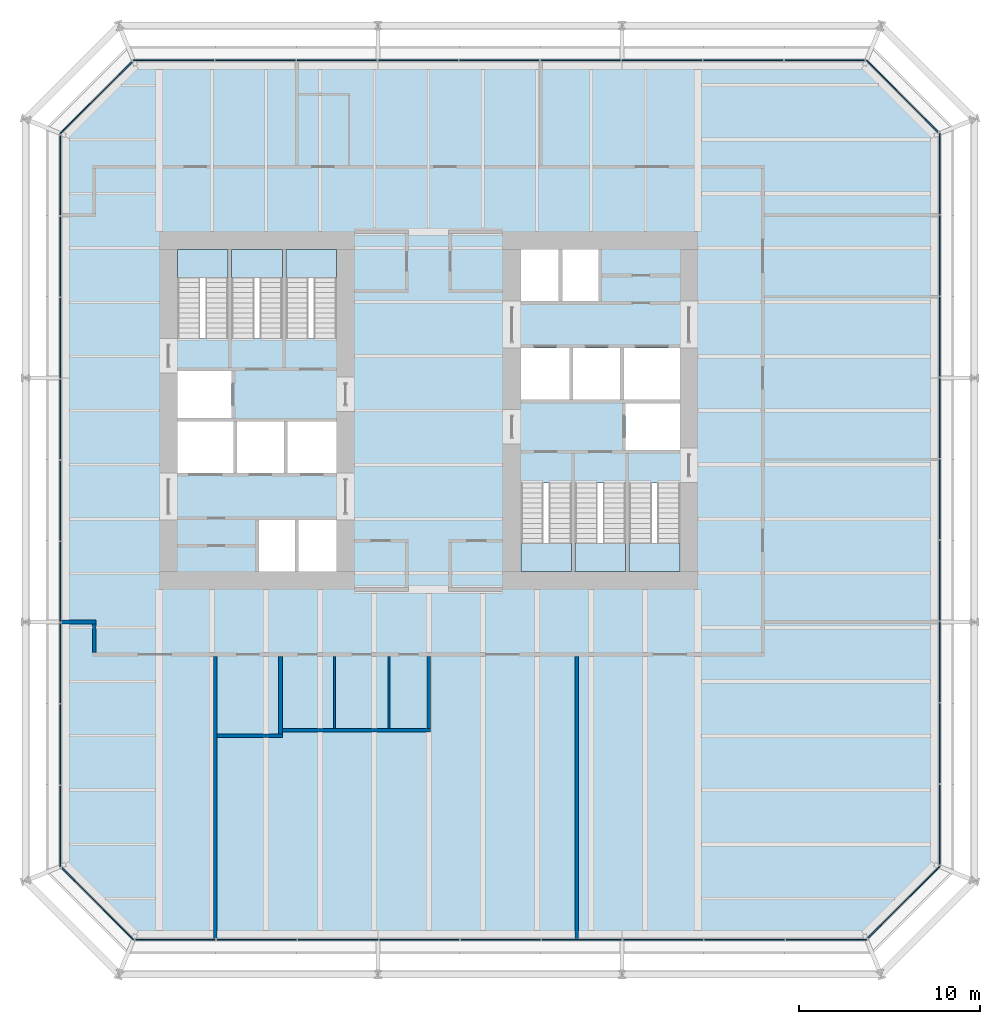
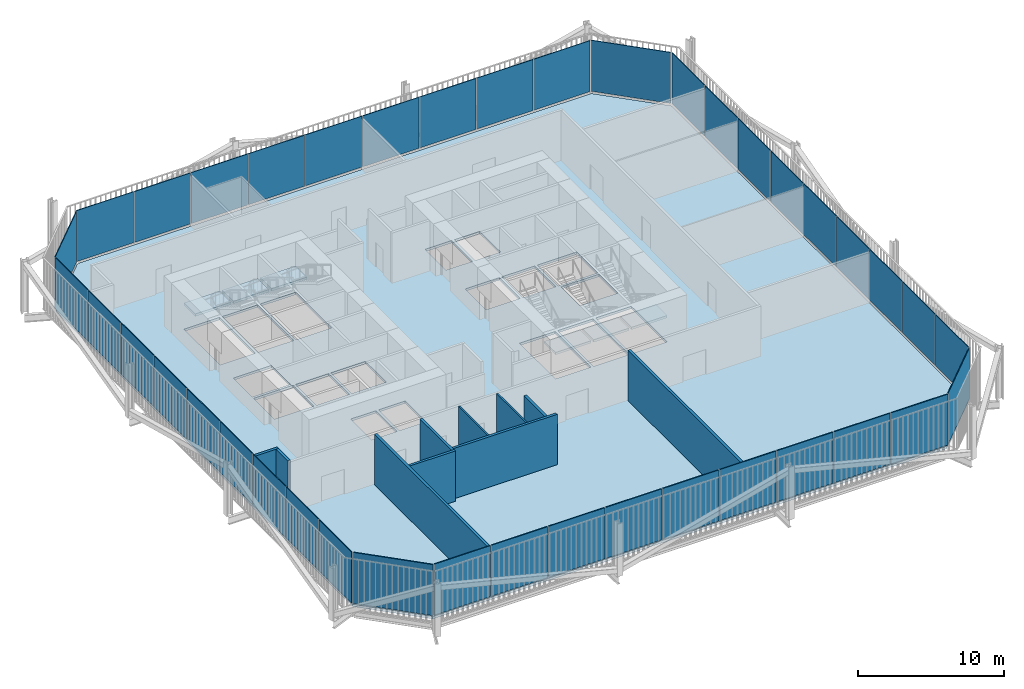
# One storey, part 16 of 21: 40 plates, 10 walls, 7 slabs, 14 elements without a shape of their own.
"""IFC4 building model written with IfcOpenShell, lengths in metres."""

from ifc_helpers import new_model, si_unit, direction, frame, frame_2d, origin, place, context, subcontext, project, spatial, polyline, rectangle, outline, extrude, material, layer, layer_set, type_object, element, aggregate, save


model = new_model("IFC4")

# Units and contexts
model_context = context("Model", 3, precision=1e-05, world=origin(), true_north=direction((0.0, 1.0)))
body_context = subcontext(model_context, "Body", "Model", "MODEL_VIEW")
ifc_project = project(units=[si_unit("LENGTHUNIT", "METRE"), si_unit("AREAUNIT", "SQUARE_METRE"), si_unit("VOLUMEUNIT", "CUBIC_METRE"), si_unit("PLANEANGLEUNIT", "RADIAN"), si_unit("MASSUNIT", "GRAM", prefix="KILO")], contexts=[model_context])

# Site, building, storey
site_placement = place(None, origin())
site = spatial("IfcSite", under=ifc_project, at=site_placement, CompositionType="ELEMENT")
building_placement = place(site_placement, origin())
building = spatial("IfcBuilding", under=site, at=building_placement, Name="Millrace Tower", CompositionType="ELEMENT")
storey_placement = place(building_placement, frame((0.0, 0.0, 90.800048828125)))
storey = spatial("IfcBuildingStorey", under=building, at=storey_placement, Name="L20", CompositionType="ELEMENT", Elevation=90.800048828125)

# Curtain wall, plate
ifc_material_1 = material(Name="Aluminium and glass", Category="aluminium")
ifc_layer_1 = layer(ifc_material_1, 0.14990234375)
ifc_layer_set_1 = layer_set([ifc_layer_1], Name="Aluminium and glass")
curtain_wall_type = type_object("IfcCurtainWallType", Name="CW-3 telecom floor curtain wall", PredefinedType="NOTDEFINED", material=ifc_layer_set_1)
placement_1 = place(storey_placement, origin())
curtain_wall_1 = element("IfcCurtainWall", 1, at=placement_1, inside=storey, type_object=curtain_wall_type, Name="Curtain wall B-F01 L20", PredefinedType="NOTDEFINED")
ifc_material_2 = material(Name="Glass", Category="glass")
ifc_layer_2 = layer(ifc_material_2, 0.06005859375)
ifc_layer_set_2 = layer_set([ifc_layer_2], Name="Glass")
plate_type = type_object("IfcPlateType", Name="CW-3 telecom floor curtain wall triple-glazed panel with spandrel", PredefinedType="CURTAIN_PANEL", material=ifc_layer_set_2)
placement_2 = place(storey_placement, frame((0.0, 0.0, 0.14990234375)))
plate_1 = element("IfcPlate", 2, at=placement_2, type_object=plate_type, Name="CW3 panel B-F01.1", PredefinedType="CURTAIN_PANEL", context=body_context, shape_type="SweptSolid", body=[
    extrude(outline(polyline([(-20.328369140625, -25.3203125), (-16.343505859375, -29.304931640625), (-16.318603515625, -29.2451171875), (-20.285888671875, -25.27783203125), (-20.328369140625, -25.3203125)])), origin(), (0.0, 0.0, 1.0), 4.25),
])
aggregate(curtain_wall_1, [plate_1])

# Curtain wall, plates
curtain_wall_2 = element("IfcCurtainWall", 3, at=placement_1, inside=storey, type_object=curtain_wall_type, Name="Curtain wall B-F02 L20", PredefinedType="NOTDEFINED")
plate_2 = element("IfcPlate", 4, at=placement_2, type_object=plate_type, Name="CW3 panel B-F02.1", PredefinedType="CURTAIN_PANEL", context=body_context, shape_type="SweptSolid", body=[
    extrude(outline(polyline([(-16.235107421875, -29.304931640625), (-11.800048828125, -29.304931640625), (-11.800048828125, -29.2451171875), (-16.235107421875, -29.2451171875), (-16.235107421875, -29.304931640625)])), origin(), (0.0, 0.0, 1.0), 4.25),
])
plate_3 = element("IfcPlate", 5, at=placement_2, type_object=plate_type, Name="CW3 panel B-F02.2", PredefinedType="CURTAIN_PANEL", context=body_context, shape_type="SweptSolid", body=[
    extrude(outline(polyline([(-11.735107421875, -29.304931640625), (-7.300048828125, -29.304931640625), (-7.300048828125, -29.2451171875), (-11.735107421875, -29.2451171875), (-11.735107421875, -29.304931640625)])), origin(), (0.0, 0.0, 1.0), 4.25),
])
plate_4 = element("IfcPlate", 6, at=placement_2, type_object=plate_type, Name="CW3 panel B-F02.3", PredefinedType="CURTAIN_PANEL", context=body_context, shape_type="SweptSolid", body=[
    extrude(outline(polyline([(-7.235107421875, -29.304931640625), (-2.800048828125, -29.304931640625), (-2.800048828125, -29.2451171875), (-7.235107421875, -29.2451171875), (-7.235107421875, -29.304931640625)])), origin(), (0.0, 0.0, 1.0), 4.25),
])
plate_5 = element("IfcPlate", 7, at=placement_2, type_object=plate_type, Name="CW3 panel B-F02.4", PredefinedType="CURTAIN_PANEL", context=body_context, shape_type="SweptSolid", body=[
    extrude(outline(polyline([(-2.735107421875, -29.304931640625), (1.699951171875, -29.304931640625), (1.699951171875, -29.2451171875), (-2.735107421875, -29.2451171875), (-2.735107421875, -29.304931640625)])), origin(), (0.0, 0.0, 1.0), 4.25),
])
plate_6 = element("IfcPlate", 8, at=placement_2, type_object=plate_type, Name="CW3 panel B-F02.5", PredefinedType="CURTAIN_PANEL", context=body_context, shape_type="SweptSolid", body=[
    extrude(outline(polyline([(1.764892578125, -29.304931640625), (6.199951171875, -29.304931640625), (6.199951171875, -29.2451171875), (1.764892578125, -29.2451171875), (1.764892578125, -29.304931640625)])), origin(), (0.0, 0.0, 1.0), 4.25),
])
plate_7 = element("IfcPlate", 9, at=placement_2, type_object=plate_type, Name="CW3 panel B-F02.6", PredefinedType="CURTAIN_PANEL", context=body_context, shape_type="SweptSolid", body=[
    extrude(outline(polyline([(6.264892578125, -29.304931640625), (10.699951171875, -29.304931640625), (10.699951171875, -29.2451171875), (6.264892578125, -29.2451171875), (6.264892578125, -29.304931640625)])), origin(), (0.0, 0.0, 1.0), 4.25),
])
plate_8 = element("IfcPlate", 10, at=placement_2, type_object=plate_type, Name="CW3 panel B-F02.7", PredefinedType="CURTAIN_PANEL", context=body_context, shape_type="SweptSolid", body=[
    extrude(outline(polyline([(10.764892578125, -29.304931640625), (15.199951171875, -29.304931640625), (15.199951171875, -29.2451171875), (10.764892578125, -29.2451171875), (10.764892578125, -29.304931640625)])), origin(), (0.0, 0.0, 1.0), 4.25),
])
plate_9 = element("IfcPlate", 11, at=placement_2, type_object=plate_type, Name="CW3 panel B-F02.8", PredefinedType="CURTAIN_PANEL", context=body_context, shape_type="SweptSolid", body=[
    extrude(outline(polyline([(15.264892578125, -29.304931640625), (19.699951171875, -29.304931640625), (19.699951171875, -29.2451171875), (15.264892578125, -29.2451171875), (15.264892578125, -29.304931640625)])), origin(), (0.0, 0.0, 1.0), 4.25),
])
plate_10 = element("IfcPlate", 12, at=placement_2, type_object=plate_type, Name="CW3 panel B-F02.9", PredefinedType="CURTAIN_PANEL", context=body_context, shape_type="SweptSolid", body=[
    extrude(outline(polyline([(19.764892578125, -29.304931640625), (24.243408203125, -29.304931640625), (24.21875, -29.2451171875), (19.764892578125, -29.2451171875), (19.764892578125, -29.304931640625)])), origin(), (0.0, 0.0, 1.0), 4.25),
])
aggregate(curtain_wall_2, [plate_2, plate_3, plate_4, plate_5, plate_6, plate_7, plate_8, plate_9, plate_10])

# Curtain wall, plate
curtain_wall_3 = element("IfcCurtainWall", 13, at=placement_1, inside=storey, type_object=curtain_wall_type, Name="Curtain wall B-F03 L20", PredefinedType="NOTDEFINED")
plate_11 = element("IfcPlate", 14, at=placement_2, type_object=plate_type, Name="CW3 panel B-F03.1", PredefinedType="CURTAIN_PANEL", context=body_context, shape_type="SweptSolid", body=[
    extrude(outline(polyline([(24.3203125, -29.228271484375), (28.304931640625, -25.243408203125), (28.2451171875, -25.21875), (24.27783203125, -29.185791015625), (24.3203125, -29.228271484375)])), origin(), (0.0, 0.0, 1.0), 4.25),
])
aggregate(curtain_wall_3, [plate_11])

# Curtain wall, plates
curtain_wall_4 = element("IfcCurtainWall", 15, at=placement_1, inside=storey, type_object=curtain_wall_type, Name="Curtain wall B-F04 L20", PredefinedType="NOTDEFINED")
plate_12 = element("IfcPlate", 16, at=placement_2, type_object=plate_type, Name="CW3 panel B-F04.1", PredefinedType="CURTAIN_PANEL", context=body_context, shape_type="SweptSolid", body=[
    extrude(outline(polyline([(28.304931640625, -25.135009765625), (28.304931640625, -20.699951171875), (28.2451171875, -20.699951171875), (28.2451171875, -25.135009765625), (28.304931640625, -25.135009765625)])), origin(), (0.0, 0.0, 1.0), 4.25),
])
plate_13 = element("IfcPlate", 17, at=placement_2, type_object=plate_type, Name="CW3 panel B-F04.2", PredefinedType="CURTAIN_PANEL", context=body_context, shape_type="SweptSolid", body=[
    extrude(outline(polyline([(28.304931640625, -20.635009765625), (28.304931640625, -16.199951171875), (28.2451171875, -16.199951171875), (28.2451171875, -20.635009765625), (28.304931640625, -20.635009765625)])), origin(), (0.0, 0.0, 1.0), 4.25),
])
plate_14 = element("IfcPlate", 18, at=placement_2, type_object=plate_type, Name="CW3 panel B-F04.3", PredefinedType="CURTAIN_PANEL", context=body_context, shape_type="SweptSolid", body=[
    extrude(outline(polyline([(28.304931640625, -16.135009765625), (28.304931640625, -11.699951171875), (28.2451171875, -11.699951171875), (28.2451171875, -16.135009765625), (28.304931640625, -16.135009765625)])), origin(), (0.0, 0.0, 1.0), 4.25),
])
plate_15 = element("IfcPlate", 19, at=placement_2, type_object=plate_type, Name="CW3 panel B-F04.4", PredefinedType="CURTAIN_PANEL", context=body_context, shape_type="SweptSolid", body=[
    extrude(outline(polyline([(28.304931640625, -11.635009765625), (28.304931640625, -7.199951171875), (28.2451171875, -7.199951171875), (28.2451171875, -11.635009765625), (28.304931640625, -11.635009765625)])), origin(), (0.0, 0.0, 1.0), 4.25),
])
plate_16 = element("IfcPlate", 20, at=placement_2, type_object=plate_type, Name="CW3 panel B-F04.5", PredefinedType="CURTAIN_PANEL", context=body_context, shape_type="SweptSolid", body=[
    extrude(outline(polyline([(28.304931640625, -7.135009765625), (28.304931640625, -2.699951171875), (28.2451171875, -2.699951171875), (28.2451171875, -7.135009765625), (28.304931640625, -7.135009765625)])), origin(), (0.0, 0.0, 1.0), 4.25),
])
plate_17 = element("IfcPlate", 21, at=placement_2, type_object=plate_type, Name="CW3 panel B-F04.6", PredefinedType="CURTAIN_PANEL", context=body_context, shape_type="SweptSolid", body=[
    extrude(outline(polyline([(28.304931640625, -2.635009765625), (28.304931640625, 1.800048828125), (28.2451171875, 1.800048828125), (28.2451171875, -2.635009765625), (28.304931640625, -2.635009765625)])), origin(), (0.0, 0.0, 1.0), 4.25),
])
plate_18 = element("IfcPlate", 22, at=placement_2, type_object=plate_type, Name="CW3 panel B-F04.7", PredefinedType="CURTAIN_PANEL", context=body_context, shape_type="SweptSolid", body=[
    extrude(outline(polyline([(28.304931640625, 1.864990234375), (28.304931640625, 6.300048828125), (28.2451171875, 6.300048828125), (28.2451171875, 1.864990234375), (28.304931640625, 1.864990234375)])), origin(), (0.0, 0.0, 1.0), 4.25),
])
plate_19 = element("IfcPlate", 23, at=placement_2, type_object=plate_type, Name="CW3 panel B-F04.8", PredefinedType="CURTAIN_PANEL", context=body_context, shape_type="SweptSolid", body=[
    extrude(outline(polyline([(28.304931640625, 6.364990234375), (28.304931640625, 10.800048828125), (28.2451171875, 10.800048828125), (28.2451171875, 6.364990234375), (28.304931640625, 6.364990234375)])), origin(), (0.0, 0.0, 1.0), 4.25),
])
plate_20 = element("IfcPlate", 24, at=placement_2, type_object=plate_type, Name="CW3 panel B-F04.9", PredefinedType="CURTAIN_PANEL", context=body_context, shape_type="SweptSolid", body=[
    extrude(outline(polyline([(28.304931640625, 10.864990234375), (28.304931640625, 15.343505859375), (28.2451171875, 15.318603515625), (28.2451171875, 10.864990234375), (28.304931640625, 10.864990234375)])), origin(), (0.0, 0.0, 1.0), 4.25),
])
aggregate(curtain_wall_4, [plate_12, plate_13, plate_14, plate_15, plate_16, plate_17, plate_18, plate_19, plate_20])

# Curtain wall, plate
curtain_wall_5 = element("IfcCurtainWall", 25, at=placement_1, inside=storey, type_object=curtain_wall_type, Name="Curtain wall B-F05 L20", PredefinedType="NOTDEFINED")
plate_21 = element("IfcPlate", 26, at=placement_2, type_object=plate_type, Name="CW3 panel B-F05.1", PredefinedType="CURTAIN_PANEL", context=body_context, shape_type="SweptSolid", body=[
    extrude(outline(polyline([(28.228271484375, 15.420166015625), (24.243408203125, 19.405029296875), (24.21875, 19.344970703125), (28.185791015625, 15.377685546875), (28.228271484375, 15.420166015625)])), origin(), (0.0, 0.0, 1.0), 4.25),
])
aggregate(curtain_wall_5, [plate_21])

# Curtain wall, plates
curtain_wall_6 = element("IfcCurtainWall", 27, at=placement_1, inside=storey, type_object=curtain_wall_type, Name="Curtain wall B-F06 L20", PredefinedType="NOTDEFINED")
plate_22 = element("IfcPlate", 28, at=placement_2, type_object=plate_type, Name="CW3 panel B-F06.1", PredefinedType="CURTAIN_PANEL", context=body_context, shape_type="SweptSolid", body=[
    extrude(outline(polyline([(24.135009765625, 19.405029296875), (19.699951171875, 19.405029296875), (19.699951171875, 19.344970703125), (24.135009765625, 19.344970703125), (24.135009765625, 19.405029296875)])), origin(), (0.0, 0.0, 1.0), 4.25),
])
plate_23 = element("IfcPlate", 29, at=placement_2, type_object=plate_type, Name="CW3 panel B-F06.2", PredefinedType="CURTAIN_PANEL", context=body_context, shape_type="SweptSolid", body=[
    extrude(outline(polyline([(19.635009765625, 19.405029296875), (15.199951171875, 19.405029296875), (15.199951171875, 19.344970703125), (19.635009765625, 19.344970703125), (19.635009765625, 19.405029296875)])), origin(), (0.0, 0.0, 1.0), 4.25),
])
plate_24 = element("IfcPlate", 30, at=placement_2, type_object=plate_type, Name="CW3 panel B-F06.3", PredefinedType="CURTAIN_PANEL", context=body_context, shape_type="SweptSolid", body=[
    extrude(outline(polyline([(15.135009765625, 19.405029296875), (10.699951171875, 19.405029296875), (10.699951171875, 19.344970703125), (15.135009765625, 19.344970703125), (15.135009765625, 19.405029296875)])), origin(), (0.0, 0.0, 1.0), 4.25),
])
plate_25 = element("IfcPlate", 31, at=placement_2, type_object=plate_type, Name="CW3 panel B-F06.4", PredefinedType="CURTAIN_PANEL", context=body_context, shape_type="SweptSolid", body=[
    extrude(outline(polyline([(10.635009765625, 19.405029296875), (6.199951171875, 19.405029296875), (6.199951171875, 19.344970703125), (10.635009765625, 19.344970703125), (10.635009765625, 19.405029296875)])), origin(), (0.0, 0.0, 1.0), 4.25),
])
plate_26 = element("IfcPlate", 32, at=placement_2, type_object=plate_type, Name="CW3 panel B-F06.5", PredefinedType="CURTAIN_PANEL", context=body_context, shape_type="SweptSolid", body=[
    extrude(outline(polyline([(6.135009765625, 19.405029296875), (1.699951171875, 19.405029296875), (1.699951171875, 19.344970703125), (6.135009765625, 19.344970703125), (6.135009765625, 19.405029296875)])), origin(), (0.0, 0.0, 1.0), 4.25),
])
plate_27 = element("IfcPlate", 33, at=placement_2, type_object=plate_type, Name="CW3 panel B-F06.6", PredefinedType="CURTAIN_PANEL", context=body_context, shape_type="SweptSolid", body=[
    extrude(outline(polyline([(1.635009765625, 19.405029296875), (-2.800048828125, 19.405029296875), (-2.800048828125, 19.344970703125), (1.635009765625, 19.344970703125), (1.635009765625, 19.405029296875)])), origin(), (0.0, 0.0, 1.0), 4.25),
])
plate_28 = element("IfcPlate", 34, at=placement_2, type_object=plate_type, Name="CW3 panel B-F06.7", PredefinedType="CURTAIN_PANEL", context=body_context, shape_type="SweptSolid", body=[
    extrude(outline(polyline([(-2.864990234375, 19.405029296875), (-7.300048828125, 19.405029296875), (-7.300048828125, 19.344970703125), (-2.864990234375, 19.344970703125), (-2.864990234375, 19.405029296875)])), origin(), (0.0, 0.0, 1.0), 4.25),
])
plate_29 = element("IfcPlate", 35, at=placement_2, type_object=plate_type, Name="CW3 panel B-F06.8", PredefinedType="CURTAIN_PANEL", context=body_context, shape_type="SweptSolid", body=[
    extrude(outline(polyline([(-7.364990234375, 19.405029296875), (-11.800048828125, 19.405029296875), (-11.800048828125, 19.344970703125), (-7.364990234375, 19.344970703125), (-7.364990234375, 19.405029296875)])), origin(), (0.0, 0.0, 1.0), 4.25),
])
plate_30 = element("IfcPlate", 36, at=placement_2, type_object=plate_type, Name="CW3 panel B-F06.9", PredefinedType="CURTAIN_PANEL", context=body_context, shape_type="SweptSolid", body=[
    extrude(outline(polyline([(-11.864990234375, 19.405029296875), (-16.343505859375, 19.405029296875), (-16.318603515625, 19.344970703125), (-11.864990234375, 19.344970703125), (-11.864990234375, 19.405029296875)])), origin(), (0.0, 0.0, 1.0), 4.25),
])
aggregate(curtain_wall_6, [plate_22, plate_23, plate_24, plate_25, plate_26, plate_27, plate_28, plate_29, plate_30])

# Curtain wall, plate
curtain_wall_7 = element("IfcCurtainWall", 37, at=placement_1, inside=storey, type_object=curtain_wall_type, Name="Curtain wall B-F07 L20", PredefinedType="NOTDEFINED")
plate_31 = element("IfcPlate", 38, at=placement_2, type_object=plate_type, Name="CW3 panel B-F07.1", PredefinedType="CURTAIN_PANEL", context=body_context, shape_type="SweptSolid", body=[
    extrude(outline(polyline([(-16.420166015625, 19.328369140625), (-20.405029296875, 15.343505859375), (-20.344970703125, 15.318603515625), (-16.377685546875, 19.285888671875), (-16.420166015625, 19.328369140625)])), origin(), (0.0, 0.0, 1.0), 4.25),
])
aggregate(curtain_wall_7, [plate_31])

# Curtain wall, plates
curtain_wall_8 = element("IfcCurtainWall", 39, at=placement_1, inside=storey, type_object=curtain_wall_type, Name="Curtain wall B-F08 L20", PredefinedType="NOTDEFINED")
plate_32 = element("IfcPlate", 40, at=placement_2, type_object=plate_type, Name="CW3 panel B-F08.1", PredefinedType="CURTAIN_PANEL", context=body_context, shape_type="SweptSolid", body=[
    extrude(outline(polyline([(-20.405029296875, 15.235107421875), (-20.405029296875, 10.800048828125), (-20.344970703125, 10.800048828125), (-20.344970703125, 15.235107421875), (-20.405029296875, 15.235107421875)])), origin(), (0.0, 0.0, 1.0), 4.25),
])
plate_33 = element("IfcPlate", 41, at=placement_2, type_object=plate_type, Name="CW3 panel B-F08.2", PredefinedType="CURTAIN_PANEL", context=body_context, shape_type="SweptSolid", body=[
    extrude(outline(polyline([(-20.405029296875, 10.735107421875), (-20.405029296875, 6.300048828125), (-20.344970703125, 6.300048828125), (-20.344970703125, 10.735107421875), (-20.405029296875, 10.735107421875)])), origin(), (0.0, 0.0, 1.0), 4.25),
])
plate_34 = element("IfcPlate", 42, at=placement_2, type_object=plate_type, Name="CW3 panel B-F08.3", PredefinedType="CURTAIN_PANEL", context=body_context, shape_type="SweptSolid", body=[
    extrude(outline(polyline([(-20.405029296875, 6.235107421875), (-20.405029296875, 1.800048828125), (-20.344970703125, 1.800048828125), (-20.344970703125, 6.235107421875), (-20.405029296875, 6.235107421875)])), origin(), (0.0, 0.0, 1.0), 4.25),
])
plate_35 = element("IfcPlate", 43, at=placement_2, type_object=plate_type, Name="CW3 panel B-F08.4", PredefinedType="CURTAIN_PANEL", context=body_context, shape_type="SweptSolid", body=[
    extrude(outline(polyline([(-20.405029296875, 1.735107421875), (-20.405029296875, -2.699951171875), (-20.344970703125, -2.699951171875), (-20.344970703125, 1.735107421875), (-20.405029296875, 1.735107421875)])), origin(), (0.0, 0.0, 1.0), 4.25),
])
plate_36 = element("IfcPlate", 44, at=placement_2, type_object=plate_type, Name="CW3 panel B-F08.5", PredefinedType="CURTAIN_PANEL", context=body_context, shape_type="SweptSolid", body=[
    extrude(outline(polyline([(-20.405029296875, -2.764892578125), (-20.405029296875, -7.199951171875), (-20.344970703125, -7.199951171875), (-20.344970703125, -2.764892578125), (-20.405029296875, -2.764892578125)])), origin(), (0.0, 0.0, 1.0), 4.25),
])
plate_37 = element("IfcPlate", 45, at=placement_2, type_object=plate_type, Name="CW3 panel B-F08.6", PredefinedType="CURTAIN_PANEL", context=body_context, shape_type="SweptSolid", body=[
    extrude(outline(polyline([(-20.405029296875, -7.264892578125), (-20.405029296875, -11.699951171875), (-20.344970703125, -11.699951171875), (-20.344970703125, -7.264892578125), (-20.405029296875, -7.264892578125)])), origin(), (0.0, 0.0, 1.0), 4.25),
])
plate_38 = element("IfcPlate", 46, at=placement_2, type_object=plate_type, Name="CW3 panel B-F08.7", PredefinedType="CURTAIN_PANEL", context=body_context, shape_type="SweptSolid", body=[
    extrude(outline(polyline([(-20.405029296875, -11.764892578125), (-20.405029296875, -16.199951171875), (-20.344970703125, -16.199951171875), (-20.344970703125, -11.764892578125), (-20.405029296875, -11.764892578125)])), origin(), (0.0, 0.0, 1.0), 4.25),
])
plate_39 = element("IfcPlate", 47, at=placement_2, type_object=plate_type, Name="CW3 panel B-F08.8", PredefinedType="CURTAIN_PANEL", context=body_context, shape_type="SweptSolid", body=[
    extrude(outline(polyline([(-20.405029296875, -16.264892578125), (-20.405029296875, -20.699951171875), (-20.344970703125, -20.699951171875), (-20.344970703125, -16.264892578125), (-20.405029296875, -16.264892578125)])), origin(), (0.0, 0.0, 1.0), 4.25),
])
plate_40 = element("IfcPlate", 48, at=placement_2, type_object=plate_type, Name="CW3 panel B-F08.9", PredefinedType="CURTAIN_PANEL", context=body_context, shape_type="SweptSolid", body=[
    extrude(outline(polyline([(-20.405029296875, -20.764892578125), (-20.405029296875, -25.243408203125), (-20.344970703125, -25.21875), (-20.344970703125, -20.764892578125), (-20.405029296875, -20.764892578125)])), origin(), (0.0, 0.0, 1.0), 4.25),
])
aggregate(curtain_wall_8, [plate_32, plate_33, plate_34, plate_35, plate_36, plate_37, plate_38, plate_39, plate_40])

# Slab
ifc_material_3 = material(Name="Concrete C35 on steel deck", Category="concrete")
ifc_layer_3 = layer(ifc_material_3, 0.199951171875)
ifc_layer_set_3 = layer_set([ifc_layer_3], Name="Concrete C35 on steel deck")
slab_type_1 = type_object("IfcSlabType", Name="Composite floor slab 200 mm", PredefinedType="FLOOR", material=ifc_layer_set_3)
slab_1_placement = place(storey_placement, frame((0.0, 0.0, -0.199951171875)))
element("IfcSlab", 49, at=slab_1_placement, inside=storey, type_object=slab_type_1, Name="SL-B-L20-S1", PredefinedType="FLOOR", context=body_context, shape_type="SweptSolid", body=[
    extrude(outline(polyline([(-20.300048828125, -25.199951171875), (-16.300048828125, -29.199951171875), (24.199951171875, -29.199951171875), (28.199951171875, -25.199951171875), (28.199951171875, 15.300048828125), (24.199951171875, 19.300048828125), (-16.300048828125, 19.300048828125), (-20.300048828125, 15.300048828125), (-20.300048828125, -25.199951171875)]), holes=[polyline([(-9.39990234375, -8.89990234375), (-7.39990234375, -8.89990234375), (-7.39990234375, -6.050048828125), (-9.39990234375, -6.050048828125), (-9.39990234375, -8.89990234375)]), polyline([(-7.199951171875, -8.89990234375), (-5.10009765625, -8.89990234375), (-5.10009765625, -6.050048828125), (-7.199951171875, -6.050048828125), (-7.199951171875, -8.89990234375)]), polyline([(-13.89990234375, -3.449951171875), (-10.800048828125, -3.449951171875), (-10.800048828125, -0.60009765625), (-13.89990234375, -0.60009765625), (-13.89990234375, -3.449951171875)]), polyline([(-10.60009765625, -3.449951171875), (-8.0, -3.449951171875), (-8.0, -0.60009765625), (-10.60009765625, -0.60009765625), (-10.60009765625, -3.449951171875)]), polyline([(-7.800048828125, -3.449951171875), (-5.10009765625, -3.449951171875), (-5.10009765625, -0.60009765625), (-7.800048828125, -0.60009765625), (-7.800048828125, -3.449951171875)]), polyline([(-13.89990234375, -0.39990234375), (-10.89990234375, -0.39990234375), (-10.89990234375, 2.179931640625), (-13.89990234375, 2.179931640625), (-13.89990234375, -0.39990234375)]), polyline([(-13.89990234375, 4.0), (-11.10009765625, 4.0), (-11.10009765625, 8.89990234375), (-13.89990234375, 8.89990234375), (-13.89990234375, 4.0)]), polyline([(-10.89990234375, 4.0), (-8.10009765625, 4.0), (-8.10009765625, 8.89990234375), (-10.89990234375, 8.89990234375), (-10.89990234375, 4.0)]), polyline([(-7.89990234375, 4.0), (-5.10009765625, 4.0), (-5.10009765625, 8.89990234375), (-7.89990234375, 8.89990234375), (-7.89990234375, 4.0)]), polyline([(7.39990234375, 6.050048828125), (9.39990234375, 6.050048828125), (9.39990234375, 8.89990234375), (7.39990234375, 8.89990234375), (7.39990234375, 6.050048828125)]), polyline([(5.10009765625, 6.050048828125), (7.199951171875, 6.050048828125), (7.199951171875, 8.89990234375), (5.10009765625, 8.89990234375), (5.10009765625, 6.050048828125)]), polyline([(10.800048828125, 0.60009765625), (13.89990234375, 0.60009765625), (13.89990234375, 3.449951171875), (10.800048828125, 3.449951171875), (10.800048828125, 0.60009765625)]), polyline([(8.0, 0.60009765625), (10.60009765625, 0.60009765625), (10.60009765625, 3.449951171875), (8.0, 3.449951171875), (8.0, 0.60009765625)]), polyline([(5.10009765625, 0.60009765625), (7.800048828125, 0.60009765625), (7.800048828125, 3.449951171875), (5.10009765625, 3.449951171875), (5.10009765625, 0.60009765625)]), polyline([(10.89990234375, -2.179931640625), (13.89990234375, -2.179931640625), (13.89990234375, 0.39990234375), (10.89990234375, 0.39990234375), (10.89990234375, -2.179931640625)]), polyline([(11.10009765625, -8.89990234375), (13.89990234375, -8.89990234375), (13.89990234375, -4.0), (11.10009765625, -4.0), (11.10009765625, -8.89990234375)]), polyline([(8.10009765625, -8.89990234375), (10.89990234375, -8.89990234375), (10.89990234375, -4.0), (8.10009765625, -4.0), (8.10009765625, -8.89990234375)]), polyline([(5.10009765625, -8.89990234375), (7.89990234375, -8.89990234375), (7.89990234375, -4.0), (5.10009765625, -4.0), (5.10009765625, -8.89990234375)])]), origin(), (0.0, 0.0, 1.0), 0.199951171875),
])

# Stair, slab
ifc_material_4 = material(Name="Concrete C35", Category="concrete")
stair_type = type_object("IfcStairType", Name="Exit stair", PredefinedType="HALF_TURN_STAIR", material=ifc_material_4)
stair_1 = element("IfcStair", 50, at=placement_1, inside=storey, type_object=stair_type, Name="Stair 1 W L20", PredefinedType="HALF_TURN_STAIR")
ifc_material_5 = material(Name="Concrete C40", Category="concrete")
ifc_layer_4 = layer(ifc_material_5, 0.199951171875)
ifc_layer_set_4 = layer_set([ifc_layer_4], Name="Concrete C40")
slab_type_2 = type_object("IfcSlabType", Name="Stair landing", PredefinedType="LANDING", material=ifc_layer_set_4)
placement_3 = place(storey_placement, frame((0.0, 0.0, 2.0)))
slab_2 = element("IfcSlab", 51, at=placement_3, type_object=slab_type_2, Name="ST12 landing 1", PredefinedType="LANDING", context=body_context, shape_type="SweptSolid", body=[
    extrude(outline(polyline([(-13.89990234375, 7.360107421875), (-11.10009765625, 7.360107421875), (-11.10009765625, 8.89990234375), (-13.89990234375, 8.89990234375), (-13.89990234375, 7.360107421875)])), origin(), (0.0, 0.0, 1.0), 0.199951171875),
])
aggregate(stair_1, [slab_2])

stair_2 = element("IfcStair", 52, at=placement_1, inside=storey, type_object=stair_type, Name="Stair 2 W L20", PredefinedType="HALF_TURN_STAIR")
slab_3 = element("IfcSlab", 53, at=placement_3, type_object=slab_type_2, Name="ST12 landing 1", PredefinedType="LANDING", context=body_context, shape_type="SweptSolid", body=[
    extrude(outline(polyline([(-10.89990234375, 7.360107421875), (-8.10009765625, 7.360107421875), (-8.10009765625, 8.89990234375), (-10.89990234375, 8.89990234375), (-10.89990234375, 7.360107421875)])), origin(), (0.0, 0.0, 1.0), 0.199951171875),
])
aggregate(stair_2, [slab_3])

stair_3 = element("IfcStair", 54, at=placement_1, inside=storey, type_object=stair_type, Name="Stair 3 W L20", PredefinedType="HALF_TURN_STAIR")
slab_4 = element("IfcSlab", 55, at=placement_3, type_object=slab_type_2, Name="ST12 landing 1", PredefinedType="LANDING", context=body_context, shape_type="SweptSolid", body=[
    extrude(outline(polyline([(-7.89990234375, 7.360107421875), (-5.10009765625, 7.360107421875), (-5.10009765625, 8.89990234375), (-7.89990234375, 8.89990234375), (-7.89990234375, 7.360107421875)])), origin(), (0.0, 0.0, 1.0), 0.199951171875),
])
aggregate(stair_3, [slab_4])

stair_4 = element("IfcStair", 56, at=placement_1, inside=storey, type_object=stair_type, Name="Stair 1 E L20", PredefinedType="HALF_TURN_STAIR")
slab_5 = element("IfcSlab", 57, at=placement_3, type_object=slab_type_2, Name="ST12 landing 1", PredefinedType="LANDING", context=body_context, shape_type="SweptSolid", body=[
    extrude(outline(polyline([(11.10009765625, -8.89990234375), (13.89990234375, -8.89990234375), (13.89990234375, -7.360107421875), (11.10009765625, -7.360107421875), (11.10009765625, -8.89990234375)])), origin(), (0.0, 0.0, 1.0), 0.199951171875),
])
aggregate(stair_4, [slab_5])

stair_5 = element("IfcStair", 58, at=placement_1, inside=storey, type_object=stair_type, Name="Stair 2 E L20", PredefinedType="HALF_TURN_STAIR")
slab_6 = element("IfcSlab", 59, at=placement_3, type_object=slab_type_2, Name="ST12 landing 1", PredefinedType="LANDING", context=body_context, shape_type="SweptSolid", body=[
    extrude(outline(polyline([(8.10009765625, -8.89990234375), (10.89990234375, -8.89990234375), (10.89990234375, -7.360107421875), (8.10009765625, -7.360107421875), (8.10009765625, -8.89990234375)])), origin(), (0.0, 0.0, 1.0), 0.199951171875),
])
aggregate(stair_5, [slab_6])

stair_6 = element("IfcStair", 60, at=placement_1, inside=storey, type_object=stair_type, Name="Stair 3 E L20", PredefinedType="HALF_TURN_STAIR")
slab_7 = element("IfcSlab", 61, at=placement_3, type_object=slab_type_2, Name="ST12 landing 1", PredefinedType="LANDING", context=body_context, shape_type="SweptSolid", body=[
    extrude(outline(polyline([(5.10009765625, -8.89990234375), (7.89990234375, -8.89990234375), (7.89990234375, -7.360107421875), (5.10009765625, -7.360107421875), (5.10009765625, -8.89990234375)])), origin(), (0.0, 0.0, 1.0), 0.199951171875),
])
aggregate(stair_6, [slab_7])

# Walls
ifc_material_6 = material(Name="Masonry partition, fire-rated", Category="masonry")
ifc_layer_5 = layer(ifc_material_6, 0.199951171875)
ifc_layer_set_5 = layer_set([ifc_layer_5], Name="Masonry partition, fire-rated")
wall_type_1 = type_object("IfcWallType", Name="Corridor wall 200", PredefinedType="PARTITIONING", material=ifc_layer_set_5)
wall_1_placement = place(storey_placement, frame((-11.699951171875, -18.0, 0.0), z_axis=(0.0, 0.0, 1.0), x_axis=(1.0, 0.0, 0.0)))
element("IfcWall", 62, at=wall_1_placement, inside=storey, type_object=wall_type_1, Name="Corridor wall L20", PredefinedType="PARTITIONING", context=body_context, shape_type="SweptSolid", body=[
    extrude(rectangle(XDim=3.599853515625, YDim=0.199951171875, at=frame_2d((1.7998046875, 0.0))), origin(), (0.0, 0.0, 1.0), 4.199951171875),
])
wall_2_placement = place(storey_placement, frame((-8.10009765625, -17.699951171875, 0.0), z_axis=(0.0, 0.0, 1.0), x_axis=(1.0, 0.0, 0.0)))
element("IfcWall", 63, at=wall_2_placement, inside=storey, type_object=wall_type_1, Name="Corridor wall L20", PredefinedType="PARTITIONING", context=body_context, shape_type="SweptSolid", body=[
    extrude(rectangle(XDim=8.2001953125, YDim=0.199951171875, at=frame_2d((4.10009765625, 0.0))), origin(), (0.0, 0.0, 1.0), 4.199951171875),
])
wall_3_placement = place(storey_placement, frame((-20.330078125, -11.699951171875, 0.0), z_axis=(0.0, 0.0, 1.0), x_axis=(1.0, 0.0, 0.0)))
element("IfcWall", 64, at=wall_3_placement, inside=storey, type_object=wall_type_1, Name="Corridor wall L20", PredefinedType="PARTITIONING", context=body_context, shape_type="SweptSolid", body=[
    extrude(rectangle(XDim=1.93017578125, YDim=0.199951171875, at=frame_2d((0.965087890625, 0.0))), origin(), (0.0, 0.0, 1.0), 4.199951171875),
])
wall_4_placement = place(storey_placement, frame((8.18994140625, -29.22998046875, 0.0), z_axis=(0.0, 0.0, 1.0), x_axis=(0.0, 1.0, 0.0)))
element("IfcWall", 65, at=wall_4_placement, inside=storey, type_object=wall_type_1, Name="Corridor wall L20", PredefinedType="PARTITIONING", context=body_context, shape_type="SweptSolid", body=[
    extrude(rectangle(XDim=15.6298828125, YDim=0.199951171875, at=frame_2d((7.81494140625, 0.0))), origin(), (0.0, 0.0, 1.0), 4.199951171875),
])
wall_5_placement = place(storey_placement, frame((0.0, -17.60009765625, 0.0), z_axis=(0.0, 0.0, 1.0), x_axis=(0.0, 1.0, 0.0)))
element("IfcWall", 66, at=wall_5_placement, inside=storey, type_object=wall_type_1, Name="Corridor wall L20", PredefinedType="PARTITIONING", context=body_context, shape_type="SweptSolid", body=[
    extrude(rectangle(XDim=4.0, YDim=0.199951171875, at=frame_2d((2.0, 0.0))), origin(), (0.0, 0.0, 1.0), 3.27294921875),
])
wall_6_placement = place(storey_placement, frame((-8.199951171875, -17.89990234375, 0.0), z_axis=(0.0, 0.0, 1.0), x_axis=(0.0, 1.0, 0.0)))
element("IfcWall", 67, at=wall_6_placement, inside=storey, type_object=wall_type_1, Name="Corridor wall L20", PredefinedType="PARTITIONING", context=body_context, shape_type="SweptSolid", body=[
    extrude(rectangle(XDim=4.2998046875, YDim=0.199951171875, at=frame_2d((2.14990234375, 0.0))), origin(), (0.0, 0.0, 1.0), 4.199951171875),
])
wall_7_placement = place(storey_placement, frame((-11.800048828125, -29.22998046875, 0.0), z_axis=(0.0, 0.0, 1.0), x_axis=(0.0, 1.0, 0.0)))
element("IfcWall", 68, at=wall_7_placement, inside=storey, type_object=wall_type_1, Name="Corridor wall L20", PredefinedType="PARTITIONING", context=body_context, shape_type="SweptSolid", body=[
    extrude(rectangle(XDim=15.6298828125, YDim=0.199951171875, at=frame_2d((7.81494140625, 0.0))), origin(), (0.0, 0.0, 1.0), 4.199951171875),
])
wall_8_placement = place(storey_placement, frame((-18.5, -13.39990234375, 0.0), z_axis=(0.0, 0.0, 1.0), x_axis=(0.0, 1.0, 0.0)))
element("IfcWall", 69, at=wall_8_placement, inside=storey, type_object=wall_type_1, Name="Corridor wall L20", PredefinedType="PARTITIONING", context=body_context, shape_type="SweptSolid", body=[
    extrude(rectangle(XDim=1.599853515625, YDim=0.199951171875, at=frame_2d((0.7998046875, 0.0))), origin(), (0.0, 0.0, 1.0), 4.199951171875),
])
ifc_material_7 = material(Name="Gypsum board partition")
ifc_layer_6 = layer(ifc_material_7, 0.1201171875)
ifc_layer_set_6 = layer_set([ifc_layer_6], Name="Gypsum board partition")
wall_type_2 = type_object("IfcWallType", Name="Partition wall 120", PredefinedType="PARTITIONING", material=ifc_layer_set_6)
for number, where, z_axis, x_axis, name in (
    (70, (-2.199951171875, -17.60009765625, 0.0), (0.0, 0.0, 1.0), (0.0, 1.0, 0.0), "Partition wall L20"),
    (71, (-5.199951171875, -17.60009765625, 0.0), (0.0, 0.0, 1.0), (0.0, 1.0, 0.0), "Partition wall L20"),
):
    element("IfcWall", number, at=place(storey_placement, frame(where, z_axis=z_axis, x_axis=x_axis)), inside=storey, type_object=wall_type_2, Name=name, PredefinedType="PARTITIONING", context=body_context, shape_type="SweptSolid", body=[
        extrude(rectangle(XDim=4.0, YDim=0.1201171875, at=frame_2d((2.0, 0.0))), origin(), (0.0, 0.0, 1.0), 4.199951171875),
    ])

save(model, "model.ifc")
